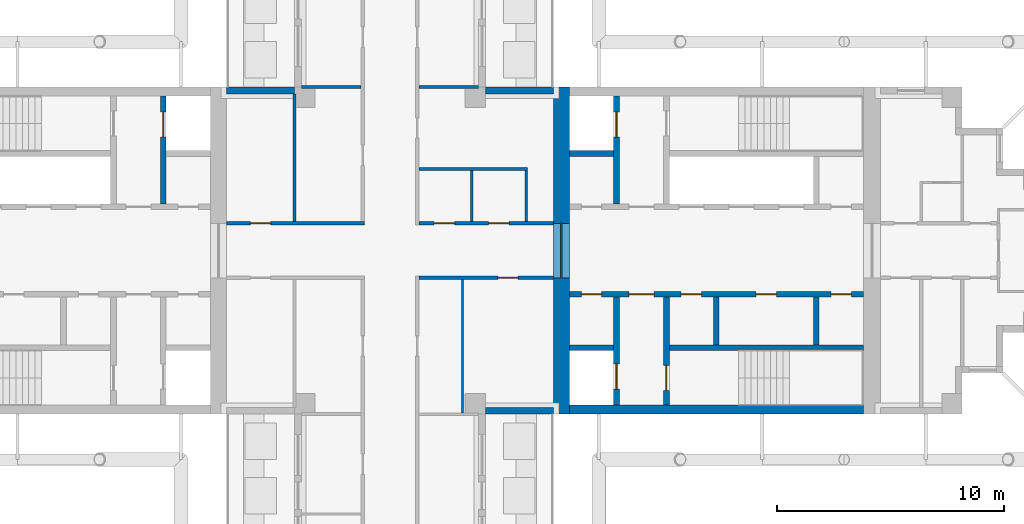
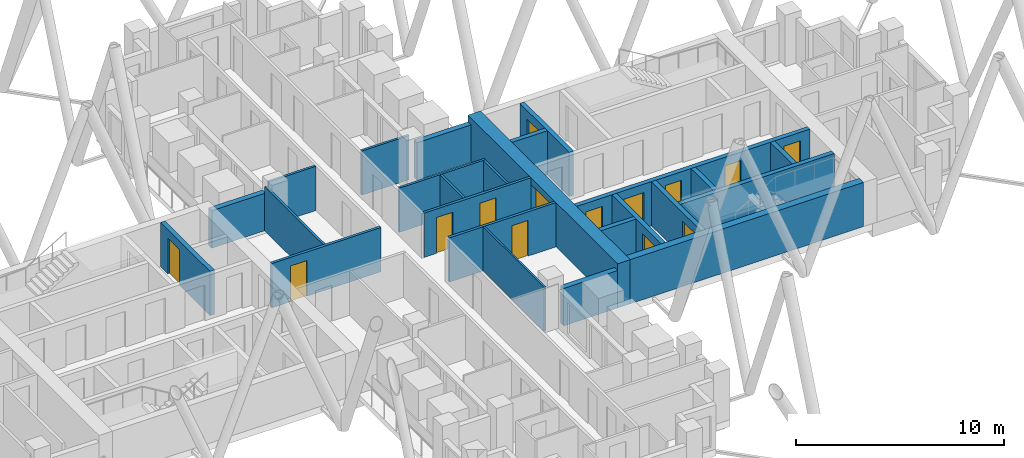
# One storey, part 6 of 12: 25 walls, 14 doors, 14 openings.
"""IFC4 building model written with IfcOpenShell, lengths in metres."""

from ifc_helpers import new_model, si_unit, direction, frame, frame_2d, origin, place, context, subcontext, project, spatial, rectangle, extrude, material, layer, layer_set, type_object, element, fill, save


model = new_model("IFC4")

# Units and contexts
model_context = context("Model", 3, precision=1e-05, world=origin(), true_north=direction((0.0, 1.0)))
body_context = subcontext(model_context, "Body", "Model", "MODEL_VIEW")
ifc_project = project(units=[si_unit("LENGTHUNIT", "METRE"), si_unit("AREAUNIT", "SQUARE_METRE"), si_unit("VOLUMEUNIT", "CUBIC_METRE"), si_unit("PLANEANGLEUNIT", "RADIAN"), si_unit("MASSUNIT", "GRAM", prefix="KILO")], contexts=[model_context])

# Site, building, storey
site_placement = place(None, origin())
site = spatial("IfcSite", under=ifc_project, at=site_placement, CompositionType="ELEMENT")
building_placement = place(site_placement, origin())
building = spatial("IfcBuilding", under=site, at=building_placement, Name="Fustian Cross Tower", CompositionType="ELEMENT")
storey_placement = place(building_placement, frame((0.0, 0.0, 179.699951171875)))
storey = spatial("IfcBuildingStorey", under=building, at=storey_placement, Name="L56", CompositionType="ELEMENT", Elevation=179.699951171875)

# Wall, opening, door
ifc_material_1 = material(Name="Plasterboard on steel stud", Category="steel")
ifc_layer_1 = layer(ifc_material_1, 0.14990234375)
ifc_layer_set_1 = layer_set([ifc_layer_1], Name="Plasterboard on steel stud")
wall_type_1 = type_object("IfcWallType", Name="COMPARTMENT WALL 150 EI 60", PredefinedType="PARTITIONING", material=ifc_layer_set_1)
wall_1_placement = place(storey_placement, frame((-7.199951171875, 1.199951171875, 0.0), z_axis=(0.0, 0.0, 1.0), x_axis=(1.0, 0.0, 0.0)))
wall_1 = element("IfcWall", 1, at=wall_1_placement, inside=storey, type_object=wall_type_1, Name="Partition 14", PredefinedType="PARTITIONING", context=body_context, shape_type="SweptSolid", body=[
    extrude(rectangle(XDim=6.074951171875, YDim=0.14990234375, at=frame_2d((3.03759765625, 0.0))), origin(), (0.0, 0.0, 1.0), 2.60009765625),
])
opening_1_placement = place(wall_1_placement, frame((1.050048828125, 0.0, 0.0)))
opening_1 = element("IfcOpeningElement", 2, at=opening_1_placement, cuts=wall_1, Name="Opening D26005", PredefinedType="OPENING", context=body_context, shape_type="SweptSolid", body=[
    extrude(rectangle(XDim=0.89990234375, YDim=2.10009765625, at=frame_2d((0.449951171875, 1.050048828125))), frame((0.0, 0.0849609375, 0.0), z_axis=(0.0, -1.0, 0.0), x_axis=(1.0, 0.0, 0.0)), (0.0, 0.0, 1.0), 0.169921875),
])
ifc_material_2 = material(Name="Timber fire door set", Category="wood")
door_type_1 = type_object("IfcDoorType", Name="FIRE SWING DOOR 900 FD30S", OperationType="SINGLE_SWING_LEFT", PredefinedType="DOOR", material=ifc_material_2)
door_1_placement = place(opening_1_placement, origin())
door_1 = element("IfcDoor", 3, at=door_1_placement, inside=storey, type_object=door_type_1, Name="Door D26005", OperationType="SINGLE_SWING_RIGHT", OverallHeight=2.10009765625, OverallWidth=0.89990234375, PredefinedType="DOOR", context=body_context, shape_type="SweptSolid", body=[
    extrude(rectangle(XDim=0.89990234375, YDim=2.10009765625, at=frame_2d((0.449951171875, 1.050048828125))), frame((0.0, 0.02490234375, 0.0), z_axis=(0.0, -1.0, 0.0), x_axis=(1.0, 0.0, 0.0)), (0.0, 0.0, 1.0), 0.050048828125),
])
fill(opening_1, door_1)

wall_2_placement = place(storey_placement, frame((1.27490234375, -1.199951171875, 0.0), z_axis=(0.0, 0.0, 1.0), x_axis=(1.0, 0.0, 0.0)))
wall_2 = element("IfcWall", 4, at=wall_2_placement, inside=storey, type_object=wall_type_1, Name="Partition 41", PredefinedType="PARTITIONING", context=body_context, shape_type="SweptSolid", body=[
    extrude(rectangle(XDim=5.925048828125, YDim=0.14990234375, at=frame_2d((2.96240234375, 0.0))), origin(), (0.0, 0.0, 1.0), 2.60009765625),
])
opening_2_placement = place(wall_2_placement, frame((3.47509765625, 0.0, 0.0)))
opening_2 = element("IfcOpeningElement", 5, at=opening_2_placement, cuts=wall_2, Name="Opening D26007", PredefinedType="OPENING", context=body_context, shape_type="SweptSolid", body=[
    extrude(rectangle(XDim=0.89990234375, YDim=2.10009765625, at=frame_2d((0.449951171875, 1.050048828125))), frame((0.0, 0.0849609375, 0.0), z_axis=(0.0, -1.0, 0.0), x_axis=(1.0, 0.0, 0.0)), (0.0, 0.0, 1.0), 0.169921875),
])
door_2_placement = place(opening_2_placement, frame((0.89990234375, 0.0, 0.0), z_axis=(0.0, 0.0, 1.0), x_axis=(-1.0, 0.0, 0.0)))
door_2 = element("IfcDoor", 6, at=door_2_placement, inside=storey, type_object=door_type_1, Name="Door D26007", OperationType="SINGLE_SWING_RIGHT", OverallHeight=2.10009765625, OverallWidth=0.89990234375, PredefinedType="DOOR", context=body_context, shape_type="SweptSolid", body=[
    extrude(rectangle(XDim=0.89990234375, YDim=2.10009765625, at=frame_2d((0.449951171875, 1.050048828125))), frame((0.0, 0.02490234375, 0.0), z_axis=(0.0, -1.0, 0.0), x_axis=(1.0, 0.0, 0.0)), (0.0, 0.0, 1.0), 0.050048828125),
])
fill(opening_2, door_2)

# Wall, openings, doors
wall_3_placement = place(storey_placement, frame((1.27490234375, 1.199951171875, 0.0), z_axis=(0.0, 0.0, 1.0), x_axis=(1.0, 0.0, 0.0)))
wall_3 = element("IfcWall", 7, at=wall_3_placement, inside=storey, type_object=wall_type_1, Name="Partition 43", PredefinedType="PARTITIONING", context=body_context, shape_type="SweptSolid", body=[
    extrude(rectangle(XDim=5.925048828125, YDim=0.14990234375, at=frame_2d((2.96240234375, 0.0))), origin(), (0.0, 0.0, 1.0), 2.60009765625),
])
opening_3_placement = place(wall_3_placement, frame((0.675048828125, 0.0, 0.0)))
opening_3 = element("IfcOpeningElement", 8, at=opening_3_placement, cuts=wall_3, Name="Opening D26001", PredefinedType="OPENING", context=body_context, shape_type="SweptSolid", body=[
    extrude(rectangle(XDim=0.89990234375, YDim=2.10009765625, at=frame_2d((0.449951171875, 1.050048828125))), frame((0.0, 0.0849609375, 0.0), z_axis=(0.0, -1.0, 0.0), x_axis=(1.0, 0.0, 0.0)), (0.0, 0.0, 1.0), 0.169921875),
])
opening_4_placement = place(wall_3_placement, frame((3.074951171875, 0.0, 0.0)))
opening_4 = element("IfcOpeningElement", 9, at=opening_4_placement, cuts=wall_3, Name="Opening D26002", PredefinedType="OPENING", context=body_context, shape_type="SweptSolid", body=[
    extrude(rectangle(XDim=0.89990234375, YDim=2.10009765625, at=frame_2d((0.449951171875, 1.050048828125))), frame((0.0, 0.0849609375, 0.0), z_axis=(0.0, -1.0, 0.0), x_axis=(1.0, 0.0, 0.0)), (0.0, 0.0, 1.0), 0.169921875),
])
door_3_placement = place(opening_3_placement, origin())
door_3 = element("IfcDoor", 10, at=door_3_placement, inside=storey, type_object=door_type_1, Name="Door D26001", OperationType="SINGLE_SWING_LEFT", OverallHeight=2.10009765625, OverallWidth=0.89990234375, PredefinedType="DOOR", context=body_context, shape_type="SweptSolid", body=[
    extrude(rectangle(XDim=0.89990234375, YDim=2.10009765625, at=frame_2d((0.449951171875, 1.050048828125))), frame((0.0, 0.02490234375, 0.0), z_axis=(0.0, -1.0, 0.0), x_axis=(1.0, 0.0, 0.0)), (0.0, 0.0, 1.0), 0.050048828125),
])
fill(opening_3, door_3)
door_4_placement = place(opening_4_placement, origin())
door_4 = element("IfcDoor", 11, at=door_4_placement, inside=storey, type_object=door_type_1, Name="Door D26002", OperationType="SINGLE_SWING_LEFT", OverallHeight=2.10009765625, OverallWidth=0.89990234375, PredefinedType="DOOR", context=body_context, shape_type="SweptSolid", body=[
    extrude(rectangle(XDim=0.89990234375, YDim=2.10009765625, at=frame_2d((0.449951171875, 1.050048828125))), frame((0.0, 0.02490234375, 0.0), z_axis=(0.0, -1.0, 0.0), x_axis=(1.0, 0.0, 0.0)), (0.0, 0.0, 1.0), 0.050048828125),
])
fill(opening_4, door_4)

# Wall, opening, door
ifc_material_3 = material(Name="Concrete C50/60", Category="concrete")
ifc_layer_2 = layer(ifc_material_3, 0.699951171875)
ifc_layer_set_2 = layer_set([ifc_layer_2], Name="Concrete C50/60")
wall_type_2 = type_object("IfcWallType", Name="CORE END WALL 700 C50/60", PredefinedType="SHEAR", material=ifc_layer_set_2)
wall_4_placement = place(storey_placement, frame((7.550048828125, -7.199951171875, 0.0), z_axis=(0.0, 0.0, 1.0), x_axis=(0.0, 1.0, 0.0)))
wall_4 = element("IfcWall", 12, at=wall_4_placement, inside=storey, type_object=wall_type_2, Name="Core end wall", PredefinedType="SHEAR", context=body_context, shape_type="SweptSolid", body=[
    extrude(rectangle(XDim=14.39990234375, YDim=0.699951171875, at=frame_2d((7.199951171875, 0.0))), origin(), (0.0, 0.0, 1.0), 2.60009765625),
])
opening_5_placement = place(wall_4_placement, frame((6.0, 0.0, 0.0)))
opening_5 = element("IfcOpeningElement", 13, at=opening_5_placement, cuts=wall_4, Name="Opening CD-23-12", PredefinedType="OPENING", context=body_context, shape_type="SweptSolid", body=[
    extrude(rectangle(XDim=2.39990234375, YDim=2.199951171875, at=frame_2d((1.199951171875, 1.10009765625))), frame((0.0, 0.35986328125, 0.0), z_axis=(0.0, -1.0, 0.0), x_axis=(1.0, 0.0, 0.0)), (0.0, 0.0, 1.0), 0.719970703125),
])
ifc_material_4 = material(Name="Steel", Category="steel")
door_type_2 = type_object("IfcDoorType", Name="FIRE DOOR FD30S DOUBLE 2400X2200", OperationType="DOUBLE_DOOR_DOUBLE_SWING", PredefinedType="DOOR", material=ifc_material_4)
door_5_placement = place(opening_5_placement, frame((2.39990234375, 0.0, 0.0), z_axis=(0.0, 0.0, 1.0), x_axis=(-1.0, 0.0, 0.0)))
door_5 = element("IfcDoor", 14, at=door_5_placement, inside=storey, type_object=door_type_2, Name="Core door CD-23-12", OperationType="DOUBLE_DOOR_DOUBLE_SWING", OverallHeight=2.199951171875, OverallWidth=2.39990234375, PredefinedType="DOOR", context=body_context, shape_type="SweptSolid", body=[
    extrude(rectangle(XDim=2.39990234375, YDim=2.199951171875, at=frame_2d((1.199951171875, 1.10009765625))), frame((0.0, 0.02490234375, 0.0), z_axis=(0.0, -1.0, 0.0), x_axis=(1.0, 0.0, 0.0)), (0.0, 0.0, 1.0), 0.050048828125),
])
fill(opening_5, door_5)

# Wall
ifc_material_5 = material(Name="Concrete C50/60", Category="concrete")
ifc_layer_3 = layer(ifc_material_5, 0.39990234375)
ifc_layer_set_3 = layer_set([ifc_layer_3], Name="Concrete C50/60")
wall_type_3 = type_object("IfcWallType", Name="CORE FACADE WALL 400 C50/60", PredefinedType="SHEAR", material=ifc_layer_set_3)
wall_5_placement = place(storey_placement, frame((7.89990234375, -7.0, 0.0), z_axis=(0.0, 0.0, 1.0), x_axis=(1.0, 0.0, 0.0)))
element("IfcWall", 15, at=wall_5_placement, inside=storey, type_object=wall_type_3, Name="Core facade wall", PredefinedType="SHEAR", context=body_context, shape_type="SweptSolid", body=[
    extrude(rectangle(XDim=12.9501953125, YDim=0.39990234375, at=frame_2d((6.47509765625, 0.0))), origin(), (0.0, 0.0, 1.0), 2.60009765625),
])

# Wall, openings, doors
ifc_material_6 = material(Name="Concrete C50/60", Category="concrete")
ifc_layer_4 = layer(ifc_material_6, 0.25)
ifc_layer_set_4 = layer_set([ifc_layer_4], Name="Concrete C50/60")
wall_type_4 = type_object("IfcWallType", Name="CORE LOBBY WALL 250 C50/60", PredefinedType="SHEAR", material=ifc_layer_set_4)
wall_6_placement = place(storey_placement, frame((7.89990234375, -1.925048828125, 0.0), z_axis=(0.0, 0.0, 1.0), x_axis=(1.0, 0.0, 0.0)))
wall_6 = element("IfcWall", 16, at=wall_6_placement, inside=storey, type_object=wall_type_4, Name="Core lobby wall", PredefinedType="SHEAR", context=body_context, shape_type="SweptSolid", body=[
    extrude(rectangle(XDim=12.9501953125, YDim=0.25, at=frame_2d((6.47509765625, 0.0))), origin(), (0.0, 0.0, 1.0), 2.60009765625),
])
opening_6_placement = place(wall_6_placement, frame((0.52490234375, 0.0, 0.0)))
opening_6 = element("IfcOpeningElement", 17, at=opening_6_placement, cuts=wall_6, Name="Opening CD-23-09", PredefinedType="OPENING", context=body_context, shape_type="SweptSolid", body=[
    extrude(rectangle(XDim=0.89990234375, YDim=2.10009765625, at=frame_2d((0.449951171875, 1.050048828125))), frame((0.0, 0.135009765625, 0.0), z_axis=(0.0, -1.0, 0.0), x_axis=(1.0, 0.0, 0.0)), (0.0, 0.0, 1.0), 0.27001953125),
])
opening_7_placement = place(wall_6_placement, frame((2.625, 0.0, 0.0)))
opening_7 = element("IfcOpeningElement", 18, at=opening_7_placement, cuts=wall_6, Name="Opening CD-23-11", PredefinedType="OPENING", context=body_context, shape_type="SweptSolid", body=[
    extrude(rectangle(XDim=1.10009765625, YDim=2.10009765625, at=frame_2d((0.550048828125, 1.050048828125))), frame((0.0, 0.135009765625, 0.0), z_axis=(0.0, -1.0, 0.0), x_axis=(1.0, 0.0, 0.0)), (0.0, 0.0, 1.0), 0.27001953125),
])
opening_8_placement = place(wall_6_placement, frame((4.925048828125, 0.0, 0.0)))
opening_8 = element("IfcOpeningElement", 19, at=opening_8_placement, cuts=wall_6, Name="Opening CD-23-15", PredefinedType="OPENING", context=body_context, shape_type="SweptSolid", body=[
    extrude(rectangle(XDim=0.89990234375, YDim=2.10009765625, at=frame_2d((0.449951171875, 1.050048828125))), frame((0.0, 0.135009765625, 0.0), z_axis=(0.0, -1.0, 0.0), x_axis=(1.0, 0.0, 0.0)), (0.0, 0.0, 1.0), 0.27001953125),
])
opening_9_placement = place(wall_6_placement, frame((8.22509765625, 0.0, 0.0)))
opening_9 = element("IfcOpeningElement", 20, at=opening_9_placement, cuts=wall_6, Name="Opening CD-23-16", PredefinedType="OPENING", context=body_context, shape_type="SweptSolid", body=[
    extrude(rectangle(XDim=0.89990234375, YDim=2.10009765625, at=frame_2d((0.449951171875, 1.050048828125))), frame((0.0, 0.135009765625, 0.0), z_axis=(0.0, -1.0, 0.0), x_axis=(1.0, 0.0, 0.0)), (0.0, 0.0, 1.0), 0.27001953125),
])
opening_10_placement = place(wall_6_placement, frame((11.52490234375, 0.0, 0.0)))
opening_10 = element("IfcOpeningElement", 21, at=opening_10_placement, cuts=wall_6, Name="Opening CD-23-17", PredefinedType="OPENING", context=body_context, shape_type="SweptSolid", body=[
    extrude(rectangle(XDim=0.89990234375, YDim=2.10009765625, at=frame_2d((0.449951171875, 1.050048828125))), frame((0.0, 0.135009765625, 0.0), z_axis=(0.0, -1.0, 0.0), x_axis=(1.0, 0.0, 0.0)), (0.0, 0.0, 1.0), 0.27001953125),
])
ifc_material_7 = material(Name="Steel", Category="steel")
door_type_3 = type_object("IfcDoorType", Name="FIRE DOOR FD30S 1100X2100", OperationType="SINGLE_SWING_LEFT", PredefinedType="DOOR", material=ifc_material_7)
door_6_placement = place(opening_7_placement, frame((1.10009765625, 0.0, 0.0), z_axis=(0.0, 0.0, 1.0), x_axis=(-1.0, 0.0, 0.0)))
door_6 = element("IfcDoor", 22, at=door_6_placement, inside=storey, type_object=door_type_3, Name="Core door CD-23-11", OperationType="SINGLE_SWING_RIGHT", OverallHeight=2.10009765625, OverallWidth=1.10009765625, PredefinedType="DOOR", context=body_context, shape_type="SweptSolid", body=[
    extrude(rectangle(XDim=1.10009765625, YDim=2.10009765625, at=frame_2d((0.550048828125, 1.050048828125))), frame((0.0, 0.02490234375, 0.0), z_axis=(0.0, -1.0, 0.0), x_axis=(1.0, 0.0, 0.0)), (0.0, 0.0, 1.0), 0.050048828125),
])
fill(opening_7, door_6)
ifc_material_8 = material(Name="Steel", Category="steel")
door_type_4 = type_object("IfcDoorType", Name="FIRE DOOR FD30S 900X2100", OperationType="SINGLE_SWING_LEFT", PredefinedType="DOOR", material=ifc_material_8)
door_7_placement = place(opening_6_placement, frame((0.89990234375, 0.0, 0.0), z_axis=(0.0, 0.0, 1.0), x_axis=(-1.0, 0.0, 0.0)))
door_7 = element("IfcDoor", 23, at=door_7_placement, inside=storey, type_object=door_type_4, Name="Core door CD-23-09", OperationType="SINGLE_SWING_RIGHT", OverallHeight=2.10009765625, OverallWidth=0.89990234375, PredefinedType="DOOR", context=body_context, shape_type="SweptSolid", body=[
    extrude(rectangle(XDim=0.89990234375, YDim=2.10009765625, at=frame_2d((0.449951171875, 1.050048828125))), frame((0.0, 0.02490234375, 0.0), z_axis=(0.0, -1.0, 0.0), x_axis=(1.0, 0.0, 0.0)), (0.0, 0.0, 1.0), 0.050048828125),
])
fill(opening_6, door_7)
door_8_placement = place(opening_8_placement, frame((0.89990234375, 0.0, 0.0), z_axis=(0.0, 0.0, 1.0), x_axis=(-1.0, 0.0, 0.0)))
door_8 = element("IfcDoor", 24, at=door_8_placement, inside=storey, type_object=door_type_4, Name="Core door CD-23-15", OperationType="SINGLE_SWING_RIGHT", OverallHeight=2.10009765625, OverallWidth=0.89990234375, PredefinedType="DOOR", context=body_context, shape_type="SweptSolid", body=[
    extrude(rectangle(XDim=0.89990234375, YDim=2.10009765625, at=frame_2d((0.449951171875, 1.050048828125))), frame((0.0, 0.02490234375, 0.0), z_axis=(0.0, -1.0, 0.0), x_axis=(1.0, 0.0, 0.0)), (0.0, 0.0, 1.0), 0.050048828125),
])
fill(opening_8, door_8)
door_9_placement = place(opening_9_placement, frame((0.89990234375, 0.0, 0.0), z_axis=(0.0, 0.0, 1.0), x_axis=(-1.0, 0.0, 0.0)))
door_9 = element("IfcDoor", 25, at=door_9_placement, inside=storey, type_object=door_type_4, Name="Core door CD-23-16", OperationType="SINGLE_SWING_LEFT", OverallHeight=2.10009765625, OverallWidth=0.89990234375, PredefinedType="DOOR", context=body_context, shape_type="SweptSolid", body=[
    extrude(rectangle(XDim=0.89990234375, YDim=2.10009765625, at=frame_2d((0.449951171875, 1.050048828125))), frame((0.0, 0.02490234375, 0.0), z_axis=(0.0, -1.0, 0.0), x_axis=(1.0, 0.0, 0.0)), (0.0, 0.0, 1.0), 0.050048828125),
])
fill(opening_9, door_9)
door_10_placement = place(opening_10_placement, frame((0.89990234375, 0.0, 0.0), z_axis=(0.0, 0.0, 1.0), x_axis=(-1.0, 0.0, 0.0)))
door_10 = element("IfcDoor", 26, at=door_10_placement, inside=storey, type_object=door_type_4, Name="Core door CD-23-17", OperationType="SINGLE_SWING_RIGHT", OverallHeight=2.10009765625, OverallWidth=0.89990234375, PredefinedType="DOOR", context=body_context, shape_type="SweptSolid", body=[
    extrude(rectangle(XDim=0.89990234375, YDim=2.10009765625, at=frame_2d((0.449951171875, 1.050048828125))), frame((0.0, 0.02490234375, 0.0), z_axis=(0.0, -1.0, 0.0), x_axis=(1.0, 0.0, 0.0)), (0.0, 0.0, 1.0), 0.050048828125),
])
fill(opening_10, door_10)

# Wall
ifc_material_9 = material(Name="Concrete C50/60", Category="concrete")
ifc_layer_5 = layer(ifc_material_9, 0.25)
ifc_layer_set_5 = layer_set([ifc_layer_5], Name="Concrete C50/60")
wall_type_5 = type_object("IfcWallType", Name="CORE SHAFT WALL 250 C50/60", PredefinedType="SHEAR", material=ifc_layer_set_5)
wall_7_placement = place(storey_placement, frame((7.89990234375, 4.27490234375, 0.0), z_axis=(0.0, 0.0, 1.0), x_axis=(1.0, 0.0, 0.0)))
element("IfcWall", 27, at=wall_7_placement, inside=storey, type_object=wall_type_5, Name="Core shaft wall", PredefinedType="SHEAR", context=body_context, shape_type="SweptSolid", body=[
    extrude(rectangle(XDim=1.9501953125, YDim=0.25, at=frame_2d((0.97509765625, 0.0))), origin(), (0.0, 0.0, 1.0), 2.60009765625),
])

# Wall, opening, door
wall_8_placement = place(storey_placement, frame((9.97509765625, 2.050048828125, 0.0), z_axis=(0.0, 0.0, 1.0), x_axis=(0.0, 1.0, 0.0)))
wall_8 = element("IfcWall", 28, at=wall_8_placement, inside=storey, type_object=wall_type_5, Name="Core shaft wall", PredefinedType="SHEAR", context=body_context, shape_type="SweptSolid", body=[
    extrude(rectangle(XDim=4.75, YDim=0.25, at=frame_2d((2.375, 0.0))), origin(), (0.0, 0.0, 1.0), 2.60009765625),
])
opening_11_placement = place(wall_8_placement, frame((2.949951171875, 0.0, 0.0)))
opening_11 = element("IfcOpeningElement", 29, at=opening_11_placement, cuts=wall_8, Name="Opening LD", PredefinedType="OPENING", context=body_context, shape_type="SweptSolid", body=[
    extrude(rectangle(XDim=1.10009765625, YDim=2.10009765625, at=frame_2d((0.550048828125, 1.050048828125))), frame((0.0, 0.135009765625, 0.0), z_axis=(0.0, -1.0, 0.0), x_axis=(1.0, 0.0, 0.0)), (0.0, 0.0, 1.0), 0.27001953125),
])
ifc_material_10 = material(Name="Stainless steel", Category="steel")
door_type_5 = type_object("IfcDoorType", Name="LIFT LANDING DOOR 1100X2100", OperationType="SLIDING_TO_LEFT", PredefinedType="DOOR", material=ifc_material_10)
door_11_placement = place(opening_11_placement, origin())
door_11 = element("IfcDoor", 30, at=door_11_placement, inside=storey, type_object=door_type_5, Name="Landing door FL1", OperationType="SLIDING_TO_LEFT", OverallHeight=2.10009765625, OverallWidth=1.10009765625, PredefinedType="DOOR", context=body_context, shape_type="SweptSolid", body=[
    extrude(rectangle(XDim=1.10009765625, YDim=2.10009765625, at=frame_2d((0.550048828125, 1.050048828125))), frame((0.0, 0.02490234375, 0.0), z_axis=(0.0, -1.0, 0.0), x_axis=(1.0, 0.0, 0.0)), (0.0, 0.0, 1.0), 0.050048828125),
])
fill(opening_11, door_11)

# Walls
wall_9_placement = place(storey_placement, frame((7.89990234375, -4.27490234375, 0.0), z_axis=(0.0, 0.0, 1.0), x_axis=(1.0, 0.0, 0.0)))
element("IfcWall", 31, at=wall_9_placement, inside=storey, type_object=wall_type_5, Name="Core shaft wall", PredefinedType="SHEAR", context=body_context, shape_type="SweptSolid", body=[
    extrude(rectangle(XDim=1.9501953125, YDim=0.25, at=frame_2d((0.97509765625, 0.0))), origin(), (0.0, 0.0, 1.0), 2.60009765625),
])
wall_10_placement = place(storey_placement, frame((12.300048828125, -4.27490234375, 0.0), z_axis=(0.0, 0.0, 1.0), x_axis=(1.0, 0.0, 0.0)))
element("IfcWall", 32, at=wall_10_placement, inside=storey, type_object=wall_type_5, Name="Core shaft wall", PredefinedType="SHEAR", context=body_context, shape_type="SweptSolid", body=[
    extrude(rectangle(XDim=8.550048828125, YDim=0.25, at=frame_2d((4.27490234375, 0.0))), origin(), (0.0, 0.0, 1.0), 2.60009765625),
])

# Wall, opening, door
wall_11_placement = place(storey_placement, frame((9.97509765625, -2.050048828125, 0.0), z_axis=(0.0, 0.0, 1.0), x_axis=(0.0, -1.0, 0.0)))
wall_11 = element("IfcWall", 33, at=wall_11_placement, inside=storey, type_object=wall_type_5, Name="Core shaft wall", PredefinedType="SHEAR", context=body_context, shape_type="SweptSolid", body=[
    extrude(rectangle(XDim=4.75, YDim=0.25, at=frame_2d((2.375, 0.0))), origin(), (0.0, 0.0, 1.0), 2.60009765625),
])
opening_12_placement = place(wall_11_placement, frame((2.949951171875, 0.0, 0.0)))
opening_12 = element("IfcOpeningElement", 34, at=opening_12_placement, cuts=wall_11, Name="Opening LD", PredefinedType="OPENING", context=body_context, shape_type="SweptSolid", body=[
    extrude(rectangle(XDim=1.10009765625, YDim=2.10009765625, at=frame_2d((0.550048828125, 1.050048828125))), frame((0.0, 0.135009765625, 0.0), z_axis=(0.0, -1.0, 0.0), x_axis=(1.0, 0.0, 0.0)), (0.0, 0.0, 1.0), 0.27001953125),
])
door_12_placement = place(opening_12_placement, origin())
door_12 = element("IfcDoor", 35, at=door_12_placement, inside=storey, type_object=door_type_5, Name="Landing door SV1", OperationType="SLIDING_TO_LEFT", OverallHeight=2.10009765625, OverallWidth=1.10009765625, PredefinedType="DOOR", context=body_context, shape_type="SweptSolid", body=[
    extrude(rectangle(XDim=1.10009765625, YDim=2.10009765625, at=frame_2d((0.550048828125, 1.050048828125))), frame((0.0, 0.02490234375, 0.0), z_axis=(0.0, -1.0, 0.0), x_axis=(1.0, 0.0, 0.0)), (0.0, 0.0, 1.0), 0.050048828125),
])
fill(opening_12, door_12)

wall_12_placement = place(storey_placement, frame((12.175048828125, -2.050048828125, 0.0), z_axis=(0.0, 0.0, 1.0), x_axis=(0.0, -1.0, 0.0)))
wall_12 = element("IfcWall", 36, at=wall_12_placement, inside=storey, type_object=wall_type_5, Name="Core shaft wall", PredefinedType="SHEAR", context=body_context, shape_type="SweptSolid", body=[
    extrude(rectangle(XDim=4.75, YDim=0.25, at=frame_2d((2.375, 0.0))), origin(), (0.0, 0.0, 1.0), 2.60009765625),
])
opening_13_placement = place(wall_12_placement, frame((3.0, 0.0, 0.0)))
opening_13 = element("IfcOpeningElement", 37, at=opening_13_placement, cuts=wall_12, Name="Opening CD-23-07", PredefinedType="OPENING", context=body_context, shape_type="SweptSolid", body=[
    extrude(rectangle(XDim=1.10009765625, YDim=2.10009765625, at=frame_2d((0.550048828125, 1.050048828125))), frame((0.0, 0.135009765625, 0.0), z_axis=(0.0, -1.0, 0.0), x_axis=(1.0, 0.0, 0.0)), (0.0, 0.0, 1.0), 0.27001953125),
])
ifc_material_11 = material(Name="Steel", Category="steel")
door_type_6 = type_object("IfcDoorType", Name="FIRE DOOR FD60S 1100X2100", OperationType="SINGLE_SWING_LEFT", PredefinedType="DOOR", material=ifc_material_11)
door_13_placement = place(opening_13_placement, origin())
door_13 = element("IfcDoor", 38, at=door_13_placement, inside=storey, type_object=door_type_6, Name="Core door CD-23-07", OperationType="SINGLE_SWING_LEFT", OverallHeight=2.10009765625, OverallWidth=1.10009765625, PredefinedType="DOOR", context=body_context, shape_type="SweptSolid", body=[
    extrude(rectangle(XDim=1.10009765625, YDim=2.10009765625, at=frame_2d((0.550048828125, 1.050048828125))), frame((0.0, 0.02490234375, 0.0), z_axis=(0.0, -1.0, 0.0), x_axis=(1.0, 0.0, 0.0)), (0.0, 0.0, 1.0), 0.050048828125),
])
fill(opening_13, door_13)

wall_13_placement = place(storey_placement, frame((-9.97509765625, 2.050048828125, 0.0), z_axis=(0.0, 0.0, 1.0), x_axis=(0.0, 1.0, 0.0)))
wall_13 = element("IfcWall", 39, at=wall_13_placement, inside=storey, type_object=wall_type_5, Name="Core shaft wall", PredefinedType="SHEAR", context=body_context, shape_type="SweptSolid", body=[
    extrude(rectangle(XDim=4.75, YDim=0.25, at=frame_2d((2.375, 0.0))), origin(), (0.0, 0.0, 1.0), 2.60009765625),
])
opening_14_placement = place(wall_13_placement, frame((2.949951171875, 0.0, 0.0)))
opening_14 = element("IfcOpeningElement", 40, at=opening_14_placement, cuts=wall_13, Name="Opening LD", PredefinedType="OPENING", context=body_context, shape_type="SweptSolid", body=[
    extrude(rectangle(XDim=1.10009765625, YDim=2.10009765625, at=frame_2d((0.550048828125, 1.050048828125))), frame((0.0, 0.135009765625, 0.0), z_axis=(0.0, -1.0, 0.0), x_axis=(1.0, 0.0, 0.0)), (0.0, 0.0, 1.0), 0.27001953125),
])
door_14_placement = place(opening_14_placement, origin())
door_14 = element("IfcDoor", 41, at=door_14_placement, inside=storey, type_object=door_type_5, Name="Landing door FL1W", OperationType="SLIDING_TO_LEFT", OverallHeight=2.10009765625, OverallWidth=1.10009765625, PredefinedType="DOOR", context=body_context, shape_type="SweptSolid", body=[
    extrude(rectangle(XDim=1.10009765625, YDim=2.10009765625, at=frame_2d((0.550048828125, 1.050048828125))), frame((0.0, 0.02490234375, 0.0), z_axis=(0.0, -1.0, 0.0), x_axis=(1.0, 0.0, 0.0)), (0.0, 0.0, 1.0), 0.050048828125),
])
fill(opening_14, door_14)

# Walls
ifc_material_12 = material(Name="Plasterboard on steel stud", Category="steel")
ifc_layer_6 = layer(ifc_material_12, 0.10009765625)
ifc_layer_set_6 = layer_set([ifc_layer_6], Name="Plasterboard on steel stud")
wall_type_6 = type_object("IfcWallType", Name="PARTITION 100 STUD", PredefinedType="PARTITIONING", material=ifc_layer_set_6)
wall_14_placement = place(storey_placement, frame((3.199951171875, -7.14990234375, 0.0), z_axis=(0.0, 0.0, 1.0), x_axis=(0.0, 1.0, 0.0)))
element("IfcWall", 42, at=wall_14_placement, inside=storey, type_object=wall_type_6, Name="Partition 55", PredefinedType="PARTITIONING", context=body_context, shape_type="SweptSolid", body=[
    extrude(rectangle(XDim=5.875, YDim=0.10009765625, at=frame_2d((2.9375, 0.0))), origin(), (0.0, 0.0, 1.0), 2.60009765625),
])
ifc_material_13 = material(Name="Concrete C40/50", Category="concrete")
ifc_layer_7 = layer(ifc_material_13, 0.25)
ifc_layer_set_7 = layer_set([ifc_layer_7], Name="Concrete C40/50")
wall_type_7 = type_object("IfcWallType", Name="SHAFT PARTITION WALL 250 C40/50", PredefinedType="PARTITIONING", material=ifc_layer_set_7)
for number, where, z_axis, x_axis, name in (
    (43, (14.375, -2.050048828125, 0.0), (0.0, 0.0, 1.0), (0.0, -1.0, 0.0), "Core shaft wall"),
    (44, (18.77490234375, -2.050048828125, 0.0), (0.0, 0.0, 1.0), (0.0, -1.0, 0.0), "Core shaft wall"),
):
    element("IfcWall", number, at=place(storey_placement, frame(where, z_axis=z_axis, x_axis=x_axis)), inside=storey, type_object=wall_type_7, Name=name, PredefinedType="PARTITIONING", context=body_context, shape_type="SweptSolid", body=[
        extrude(rectangle(XDim=2.099853515625, YDim=0.25, at=frame_2d((1.0498046875, 0.0))), origin(), (0.0, 0.0, 1.0), 2.60009765625),
    ])
ifc_material_14 = material(Name="Plasterboard on steel stud", Category="steel")
ifc_layer_8 = layer(ifc_material_14, 0.125)
ifc_layer_set_8 = layer_set([ifc_layer_8], Name="Plasterboard on steel stud")
wall_type_8 = type_object("IfcWallType", Name="WET WALL 125 STUD", PredefinedType="PARTITIONING", material=ifc_layer_set_8)
wall_15_placement = place(storey_placement, frame((-4.199951171875, 1.27490234375, 0.0), z_axis=(0.0, 0.0, 1.0), x_axis=(0.0, 1.0, 0.0)))
element("IfcWall", 45, at=wall_15_placement, inside=storey, type_object=wall_type_8, Name="Partition 17", PredefinedType="PARTITIONING", context=body_context, shape_type="SweptSolid", body=[
    extrude(rectangle(XDim=5.625, YDim=0.125, at=frame_2d((2.8125, 0.0))), origin(), (0.0, 0.0, 1.0), 2.60009765625),
])
wall_16_placement = place(storey_placement, frame((-3.89990234375, 7.199951171875, 0.0), z_axis=(0.0, 0.0, 1.0), x_axis=(1.0, 0.0, 0.0)))
element("IfcWall", 46, at=wall_16_placement, inside=storey, type_object=wall_type_8, Name="Partition 21", PredefinedType="PARTITIONING", context=body_context, shape_type="SweptSolid", body=[
    extrude(rectangle(XDim=2.625, YDim=0.125, at=frame_2d((1.3125, 0.0))), origin(), (0.0, 0.0, 1.0), 2.60009765625),
])
wall_17_placement = place(storey_placement, frame((1.27490234375, 3.60009765625, 0.0), z_axis=(0.0, 0.0, 1.0), x_axis=(1.0, 0.0, 0.0)))
element("IfcWall", 47, at=wall_17_placement, inside=storey, type_object=wall_type_8, Name="Partition 44", PredefinedType="PARTITIONING", context=body_context, shape_type="SweptSolid", body=[
    extrude(rectangle(XDim=4.78759765625, YDim=0.125, at=frame_2d((2.393798828125, 0.0))), origin(), (0.0, 0.0, 1.0), 2.60009765625),
])
wall_18_placement = place(storey_placement, frame((1.27490234375, 7.199951171875, 0.0), z_axis=(0.0, 0.0, 1.0), x_axis=(1.0, 0.0, 0.0)))
element("IfcWall", 48, at=wall_18_placement, inside=storey, type_object=wall_type_8, Name="Partition 45", PredefinedType="PARTITIONING", context=body_context, shape_type="SweptSolid", body=[
    extrude(rectangle(XDim=2.625, YDim=0.125, at=frame_2d((1.3125, 0.0))), origin(), (0.0, 0.0, 1.0), 2.60009765625),
])
for number, where, z_axis, x_axis, name in (
    (49, (3.60009765625, 1.27490234375, 0.0), (0.0, 0.0, 1.0), (0.0, 1.0, 0.0), "Partition 56"),
    (50, (6.0, 1.27490234375, 0.0), (0.0, 0.0, 1.0), (0.0, 1.0, 0.0), "Partition 57"),
):
    element("IfcWall", number, at=place(storey_placement, frame(where, z_axis=z_axis, x_axis=x_axis)), inside=storey, type_object=wall_type_8, Name=name, PredefinedType="PARTITIONING", context=body_context, shape_type="SweptSolid", body=[
        extrude(rectangle(XDim=2.2626953125, YDim=0.125, at=frame_2d((1.13134765625, 0.0))), origin(), (0.0, 0.0, 1.0), 2.60009765625),
    ])
ifc_material_15 = material(Name="Dark aluminium cladding on insulated backing wall", Category="aluminium")
ifc_layer_9 = layer(ifc_material_15, 0.300048828125)
ifc_layer_set_9 = layer_set([ifc_layer_9], Name="Dark aluminium cladding on insulated backing wall")
wall_type_9 = type_object("IfcWallType", Name="XW1 EXTERNAL WALL 300", PredefinedType="SOLIDWALL", material=ifc_layer_set_9)
for number, where, z_axis, x_axis, name in (
    (51, (7.199951171875, 7.050048828125, 0.0), (0.0, 0.0, 1.0), (-1.0, 0.0, 0.0), "External wall"),
    (52, (-4.199951171875, 7.050048828125, 0.0), (0.0, 0.0, 1.0), (-1.0, 0.0, 0.0), "External wall"),
    (53, (4.199951171875, -7.050048828125, 0.0), (0.0, 0.0, 1.0), (1.0, 0.0, 0.0), "External wall"),
):
    element("IfcWall", number, at=place(storey_placement, frame(where, z_axis=z_axis, x_axis=x_axis)), inside=storey, type_object=wall_type_9, Name=name, PredefinedType="SOLIDWALL", context=body_context, shape_type="SweptSolid", body=[
        extrude(rectangle(XDim=3.0, YDim=0.300048828125, at=frame_2d((1.5, 0.0))), origin(), (0.0, 0.0, 1.0), 2.199951171875),
    ])

save(model, "model.ifc")
